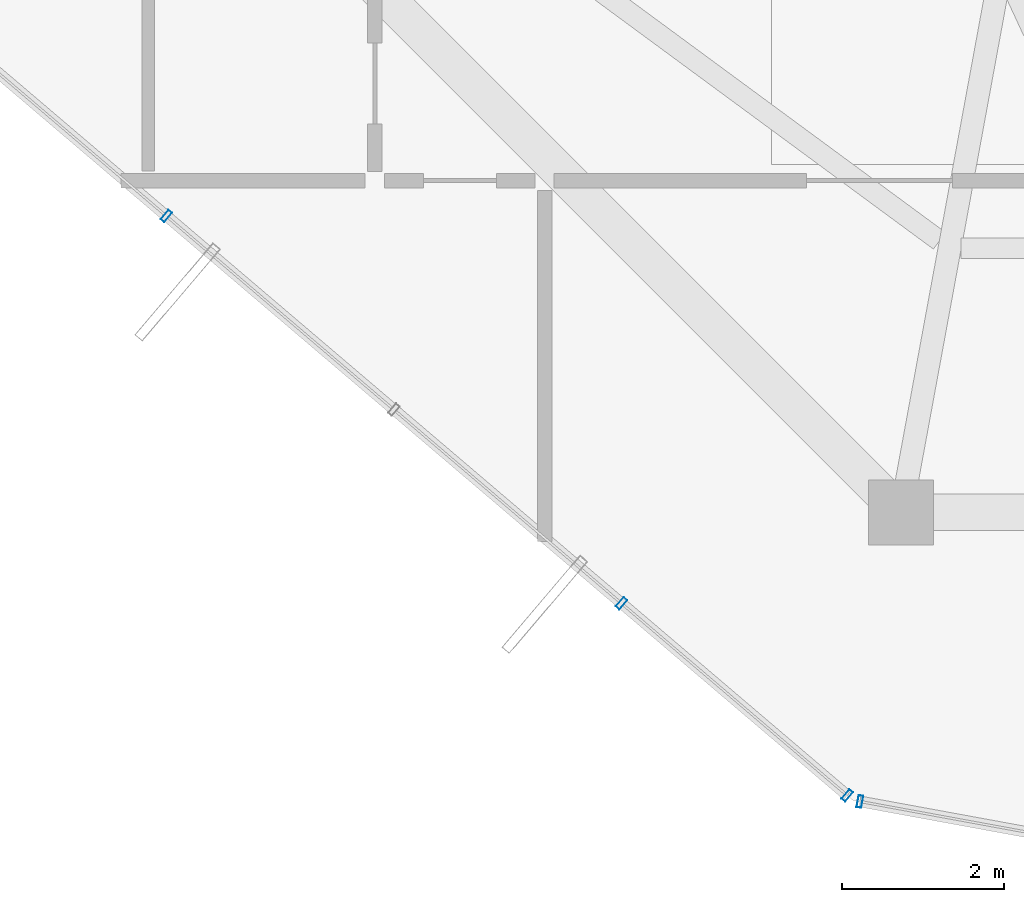
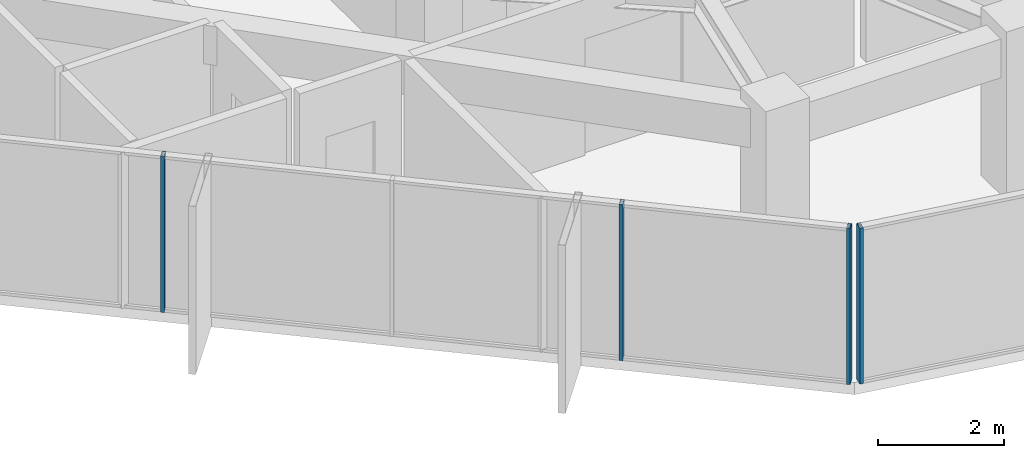
# One storey, part 4 of 29: 4 members, 2 elements without a shape of their own.
"""IFC4 building model written with IfcOpenShell, lengths in metres."""

import ifcopenshell
import ifcopenshell.guid

model = None  # the IFC model being written
_history = None  # IfcOwnerHistory: only IFC2X3 demands one
_inside = {}  # id of a spatial element -> (the spatial element, [elements in it])
_under = {}  # id of a project, library or spatial element -> (it, [spatial elements below it])
_declared = {}  # id of a project -> (the project, [libraries it declares])
_typed = {}  # id of a type object -> (the type object, [elements of that type])
_made_of = {}  # id of a material, layer set ... -> (it, [elements and type objects made of it])


def new_model(schema):
    """Start an empty IFC model of exactly this schema.

    Asked for "IFC4X3", IfcOpenShell would pick the latest addendum, in which some entities
    have other attributes; the version numbers below select the first issue.
    IFC2X3 requires an IfcOwnerHistory on every rooted entity: one is made here for all.
    """
    global model, _history
    if schema == "IFC4X3":
        model = ifcopenshell.file(schema_version=(4, 3, 0, 0))
    else:
        model = ifcopenshell.file(schema=schema)
    _inside.clear()
    _under.clear()
    _declared.clear()
    _typed.clear()
    _made_of.clear()
    _history = None
    if model.schema == "IFC2X3":
        org = make("IfcOrganization", Name="unknown")
        user = make(
            "IfcPersonAndOrganization",
            ThePerson=make("IfcPerson", FamilyName="unknown"),
            TheOrganization=org,
        )
        app = make(
            "IfcApplication",
            ApplicationDeveloper=org,
            Version="unknown",
            ApplicationFullName="unknown",
            ApplicationIdentifier="unknown",
        )
        _history = make(
            "IfcOwnerHistory",
            OwningUser=user,
            OwningApplication=app,
            ChangeAction="ADDED",
            CreationDate=0,
        )
    return model


def make(cls, **values):
    """One entity of the class cls with the attributes given. An attribute that is None is left unset."""
    return model.create_entity(
        cls, **{name: value for name, value in values.items() if value is not None}
    )


def rooted(cls, **values):
    """An entity with a GlobalId (a new one), such as an element, a storey or a relation."""
    return make(cls, GlobalId=ifcopenshell.guid.new(), OwnerHistory=_history, **values)


def si_unit(unit_type, name, prefix=None):
    """IfcSIUnit, for example si_unit("LENGTHUNIT", "METRE", prefix="MILLI")."""
    return make("IfcSIUnit", UnitType=unit_type, Prefix=prefix, Name=name)


def assignment(units):
    """IfcUnitAssignment: the units of a project."""
    return None if units is None else make("IfcUnitAssignment", Units=units)


def point(xyz):
    """IfcCartesianPoint."""
    return None if xyz is None else make("IfcCartesianPoint", Coordinates=xyz)


def direction(xyz):
    """IfcDirection."""
    return None if xyz is None else make("IfcDirection", DirectionRatios=xyz)


def frame(location, z_axis=None, x_axis=None):
    """IfcAxis2Placement3D, a coordinate frame: its origin and axes. An axis left out is left unset."""
    return make(
        "IfcAxis2Placement3D",
        Location=point(location),
        Axis=direction(z_axis),
        RefDirection=direction(x_axis),
    )


def frame_2d(location, x_axis=None):
    """IfcAxis2Placement2D, a coordinate frame in the plane: its origin and x axis."""
    return make(
        "IfcAxis2Placement2D", Location=point(location), RefDirection=direction(x_axis)
    )


def origin():
    """The frame at (0, 0, 0) with its axes left unset."""
    return frame((0.0, 0.0, 0.0))


def origin_2d():
    """The frame at (0, 0) in the plane with its x axis left unset."""
    return frame_2d((0.0, 0.0))


def place(relative_to, where):
    """IfcLocalPlacement: puts the frame where relative to a parent placement (None: the world)."""
    return make(
        "IfcLocalPlacement", PlacementRelTo=relative_to, RelativePlacement=where
    )


def context(
    kind, dimensions, precision=None, world=None, true_north=None, identifier=None
):
    """IfcGeometricRepresentationContext, for example the 3D "Model" context."""
    return make(
        "IfcGeometricRepresentationContext",
        ContextIdentifier=identifier,
        ContextType=kind,
        CoordinateSpaceDimension=dimensions,
        Precision=precision,
        WorldCoordinateSystem=world,
        TrueNorth=true_north,
    )


def subcontext(parent, identifier, kind, view, scale=None):
    """IfcGeometricRepresentationSubContext, for example "Body" below "Model"."""
    return make(
        "IfcGeometricRepresentationSubContext",
        ContextIdentifier=identifier,
        ContextType=kind,
        ParentContext=parent,
        TargetScale=scale,
        TargetView=view,
    )


def project(units=None, contexts=None):
    """IfcProject with its units and contexts."""
    return rooted(
        "IfcProject",
        Name="project",
        RepresentationContexts=contexts,
        UnitsInContext=assignment(units),
    )


def spatial(cls, under=None, at=None, **own):
    """A site, building, storey or space (cls), placed at a placement, below another one or the project."""
    s = rooted(cls, ObjectPlacement=at, **own)
    if under is not None:
        _under.setdefault(under.id(), (under, []))[1].append(s)
    return s


def profile(cls, at=None, kind="AREA", **sizes):
    """A parametric profile (cls). Its sizes go by their IFC names, for example OverallWidth=200.0."""
    return make(cls, ProfileType=kind, Position=at, **sizes)


def hollow_rectangle(**sizes):
    """IfcRectangleHollowProfileDef."""
    return profile("IfcRectangleHollowProfileDef", **sizes)


def extrude(swept, where, along, depth):
    """IfcExtrudedAreaSolid: the profile swept, set in the frame where, extruded along a direction by depth."""
    return make(
        "IfcExtrudedAreaSolid",
        SweptArea=swept,
        Position=where,
        ExtrudedDirection=direction(along),
        Depth=depth,
    )


def shape(context_of_items, identifier, shape_type, items):
    """IfcShapeRepresentation: the items that make up one representation, for example the "Body"."""
    return make(
        "IfcShapeRepresentation",
        ContextOfItems=context_of_items,
        RepresentationIdentifier=identifier,
        RepresentationType=shape_type,
        Items=items,
    )


def source(mapping_origin, context_of_items, identifier, shape_type, items):
    """IfcRepresentationMap: a shape defined once, which mapped items show again and again."""
    return make(
        "IfcRepresentationMap",
        MappingOrigin=mapping_origin,
        MappedRepresentation=shape(context_of_items, identifier, shape_type, items),
    )


def transform(
    local_origin,
    x_axis=None,
    y_axis=None,
    z_axis=None,
    scale=None,
    scale2=None,
    scale3=None,
    uniform=True,
):
    """IfcCartesianTransformationOperator3D, or its non-uniform kind. x_axis, y_axis, z_axis: its Axis1, 2, 3."""
    if uniform:
        return make(
            "IfcCartesianTransformationOperator3D",
            Axis1=direction(x_axis),
            Axis2=direction(y_axis),
            LocalOrigin=point(local_origin),
            Scale=scale,
            Axis3=direction(z_axis),
        )
    return make(
        "IfcCartesianTransformationOperator3DnonUniform",
        Axis1=direction(x_axis),
        Axis2=direction(y_axis),
        LocalOrigin=point(local_origin),
        Scale=scale,
        Axis3=direction(z_axis),
        Scale2=scale2,
        Scale3=scale3,
    )


def mapped(mapping_source, mapping_target):
    """IfcMappedItem: shows the shape of a source again, moved by a transform."""
    return make(
        "IfcMappedItem", MappingSource=mapping_source, MappingTarget=mapping_target
    )


def material(Name=None, Category=None):
    """IfcMaterial."""
    return make("IfcMaterial", Name=Name, Category=Category)


def layer(
    of_material, thickness, ventilated=None, Name=None, Category=None, Priority=None
):
    """IfcMaterialLayer: one layer of a wall or slab, of a material (None: an air gap)."""
    return make(
        "IfcMaterialLayer",
        Material=of_material,
        LayerThickness=thickness,
        IsVentilated=ventilated,
        Name=Name,
        Category=Category,
        Priority=Priority,
    )


def layer_set(layers, Name=None):
    """IfcMaterialLayerSet."""
    return make("IfcMaterialLayerSet", MaterialLayers=layers, LayerSetName=Name)


def material_profile(
    of_material, cross_section, Name=None, Category=None, Priority=None
):
    """IfcMaterialProfile: a cross section and its material."""
    return make(
        "IfcMaterialProfile",
        Name=Name,
        Material=of_material,
        Profile=cross_section,
        Priority=Priority,
        Category=Category,
    )


def profile_set(profiles, Name=None, composite=None):
    """IfcMaterialProfileSet."""
    return make(
        "IfcMaterialProfileSet",
        Name=Name,
        MaterialProfiles=profiles,
        CompositeProfile=composite,
    )


def made_of(thing, what):
    """Note that an element or type object is made of a material, layer set ...; save() writes the relation."""
    if what is not None:
        _made_of.setdefault(what.id(), (what, []))[1].append(thing)
    return thing


def type_object(cls, material=None, **own):
    """A type object (cls), such as IfcWallType, which elements share."""
    return made_of(rooted(cls, **own), material)


def element(
    cls,
    number,
    at=None,
    inside=None,
    cuts=None,
    type_object=None,
    material=None,
    context=None,
    identifier="Body",
    shape_type=None,
    held_by="IfcProductDefinitionShape",
    body=None,
    shapes=None,
    **own,
):
    """One element of the class cls, such as IfcWall. Its Tag is "e" and its number.

    at: its placement. inside: the storey or other place that contains it. cuts: it is an
    opening in that element (IfcRelVoidsElement). A single representation is given by context,
    identifier, shape_type and body (its items); several are given by shapes. held_by: the class
    of the entity that holds the representations. save() writes the other relations.
    """
    e = rooted(cls, Tag="e%d" % number, ObjectPlacement=at, **own)
    if body is not None:
        shapes = [shape(context, identifier, shape_type, body)]
    if shapes is not None:
        e.Representation = make(held_by, Representations=shapes)
    if inside is not None:
        _inside.setdefault(inside.id(), (inside, []))[1].append(e)
    if cuts is not None:
        rooted(
            "IfcRelVoidsElement", RelatingBuildingElement=cuts, RelatedOpeningElement=e
        )
    if type_object is not None:
        _typed.setdefault(type_object.id(), (type_object, []))[1].append(e)
    return made_of(e, material)


def aggregate(whole, parts):
    """IfcRelAggregates: a whole, such as a stair, and the parts it consists of."""
    return rooted("IfcRelAggregates", RelatingObject=whole, RelatedObjects=parts)


def save(model, path):
    """Write the relations noted so far, then the file.

    IfcRelAggregates (storeys below a building ...), IfcRelContainedInSpatialStructure (elements
    in a storey), IfcRelDefinesByType, IfcRelAssociatesMaterial and IfcRelDeclares: one each for
    every whole, place, type object, material and project.
    """
    for whole, parts in _under.values():
        aggregate(whole, parts)
    for where, things in _inside.values():
        rooted(
            "IfcRelContainedInSpatialStructure",
            RelatedElements=things,
            RelatingStructure=where,
        )
    for kind, things in _typed.values():
        rooted("IfcRelDefinesByType", RelatedObjects=things, RelatingType=kind)
    for what, things in _made_of.values():
        rooted("IfcRelAssociatesMaterial", RelatedObjects=things, RelatingMaterial=what)
    for by, libraries in _declared.values():
        rooted("IfcRelDeclares", RelatingContext=by, RelatedDefinitions=libraries)
    model.write(path)


model = new_model("IFC4")

# Units and contexts
model_context = context("Model", 3, precision=1e-05, world=origin(), true_north=direction((0.0, 1.0)))
body_context = subcontext(model_context, "Body", "Model", "MODEL_VIEW")
ifc_project = project(units=[si_unit("LENGTHUNIT", "METRE"), si_unit("AREAUNIT", "SQUARE_METRE"), si_unit("VOLUMEUNIT", "CUBIC_METRE"), si_unit("PLANEANGLEUNIT", "RADIAN"), si_unit("MASSUNIT", "GRAM", prefix="KILO")], contexts=[model_context])

# Site, building, storey
site_placement = place(None, origin())
site = spatial("IfcSite", under=ifc_project, at=site_placement, CompositionType="ELEMENT")
building_placement = place(site_placement, origin())
building = spatial("IfcBuilding", under=site, at=building_placement, Name="Veraguas Prism Commons", CompositionType="ELEMENT")
storey_placement = place(building_placement, frame((0.0, 0.0, 244.75)))
storey = spatial("IfcBuildingStorey", under=building, at=storey_placement, Name="L69", CompositionType="ELEMENT", Elevation=244.75)

# Curtain wall, members
ifc_material = material(Name="Anodised aluminium EN AW-6063 T6", Category="aluminium")
ifc_layer = layer(ifc_material, 0.14990234375, Name="Unitised Flush Curtain Wall Zone 4", Category="aluminium")
ifc_layer_set = layer_set([ifc_layer], Name="Anodised aluminium EN AW-6063 T6")
curtain_wall_type = type_object("IfcCurtainWallType", Name="Unitised Flush Curtain Wall Zone 4", PredefinedType="NOTDEFINED", material=ifc_layer_set)
curtain_wall_1_placement = place(storey_placement, origin())
curtain_wall_1 = element("IfcCurtainWall", 1, at=curtain_wall_1_placement, inside=storey, type_object=curtain_wall_type, Name="Tower Facade Curtain Wall L69-F4", PredefinedType="NOTDEFINED")
ifc_material_profile = material_profile(ifc_material, hollow_rectangle(XDim=0.06005859375, YDim=0.14990234375, WallThickness=0.0029296875, at=origin_2d()), Name="AL60X150X3")
ifc_profile_set = profile_set([ifc_material_profile], Name="Anodised aluminium EN AW-6063 T6")
member_type = type_object("IfcMemberType", Name="Curtain Wall Mullion Upper AL 60x150x3", PredefinedType="MULLION", material=ifc_profile_set)
shared_shape = source(origin(), body_context, "Body", "SweptSolid", [
    extrude(hollow_rectangle(XDim=0.06005859375, YDim=0.14990234375, WallThickness=0.0029296875, at=origin_2d()), origin(), (0.0, 0.0, 1.0), 3.014892578125),
])
member_1_placement = place(storey_placement, frame((10.524169921875, 13.86181640625, 0.0), z_axis=(0.0, 0.0, 1.0), x_axis=(0.761538307537, -0.648119901063, 0.0)))
member_1 = element("IfcMember", 2, at=member_1_placement, type_object=member_type, Name="CW-Z4 Mullion 2", PredefinedType="MULLION", context=body_context, shape_type="MappedRepresentation", body=[
    mapped(shared_shape, transform((0.0, 0.0, 0.0), scale=1.0)),
])
member_2_placement = place(storey_placement, frame((16.146728515625, 9.07666015625, 0.0), z_axis=(0.0, 0.0, 1.0), x_axis=(0.761538307537, -0.648119901063, 0.0)))
member_2 = element("IfcMember", 3, at=member_2_placement, type_object=member_type, Name="CW-Z4 Mullion 4", PredefinedType="MULLION", context=body_context, shape_type="MappedRepresentation", body=[
    mapped(shared_shape, transform((0.0, 0.0, 0.0), scale=1.0)),
])
member_3_placement = place(storey_placement, frame((18.935302734375, 6.70361328125, 0.0), z_axis=(0.0, 0.0, 1.0), x_axis=(0.761538307537, -0.648119901063, 0.0)))
member_3 = element("IfcMember", 4, at=member_3_placement, type_object=member_type, Name="CW-Z4 Mullion 5", PredefinedType="MULLION", context=body_context, shape_type="MappedRepresentation", body=[
    mapped(shared_shape, transform((0.0, 0.0, 0.0), scale=1.0)),
])
aggregate(curtain_wall_1, [member_1, member_2, member_3])

# Curtain wall, member
curtain_wall_2_placement = place(storey_placement, origin())
curtain_wall_2 = element("IfcCurtainWall", 5, at=curtain_wall_2_placement, inside=storey, type_object=curtain_wall_type, Name="Chamfer Curtain Wall L69-C5", PredefinedType="NOTDEFINED")
member_4_placement = place(storey_placement, frame((19.09228515625, 6.62890625, 0.0), z_axis=(0.0, 0.0, 1.0), x_axis=(0.983568635104, -0.180534595133, 0.0)))
member_4 = element("IfcMember", 6, at=member_4_placement, type_object=member_type, Name="CW-Z4 Mullion 1", PredefinedType="MULLION", context=body_context, shape_type="MappedRepresentation", body=[
    mapped(shared_shape, transform((0.0, 0.0, 0.0), scale=1.0)),
])
aggregate(curtain_wall_2, [member_4])

save(model, "model.ifc")
